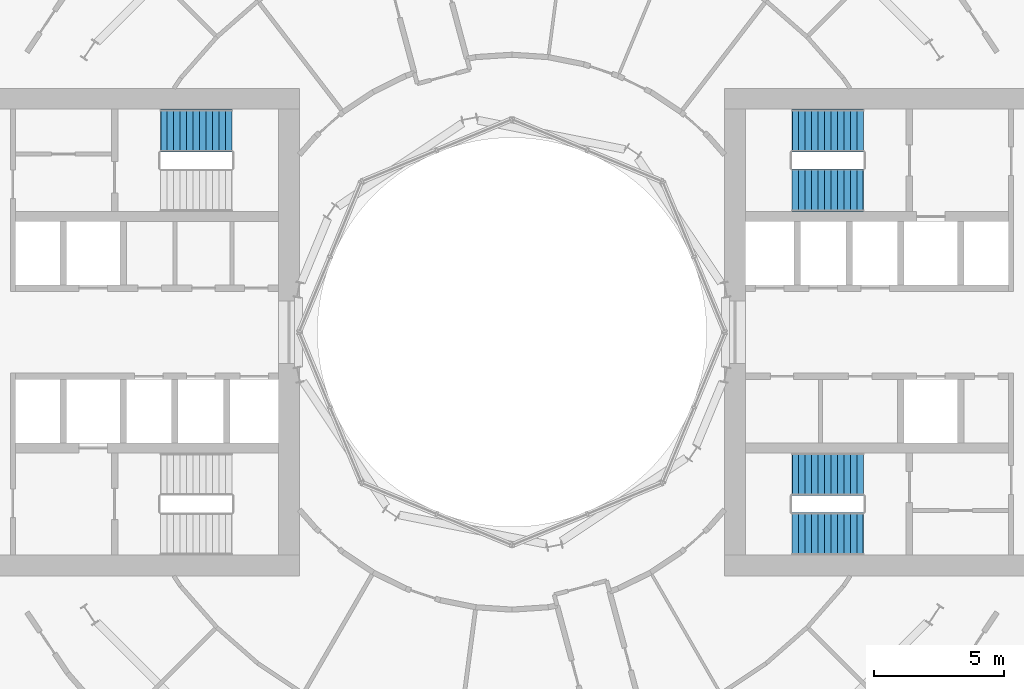
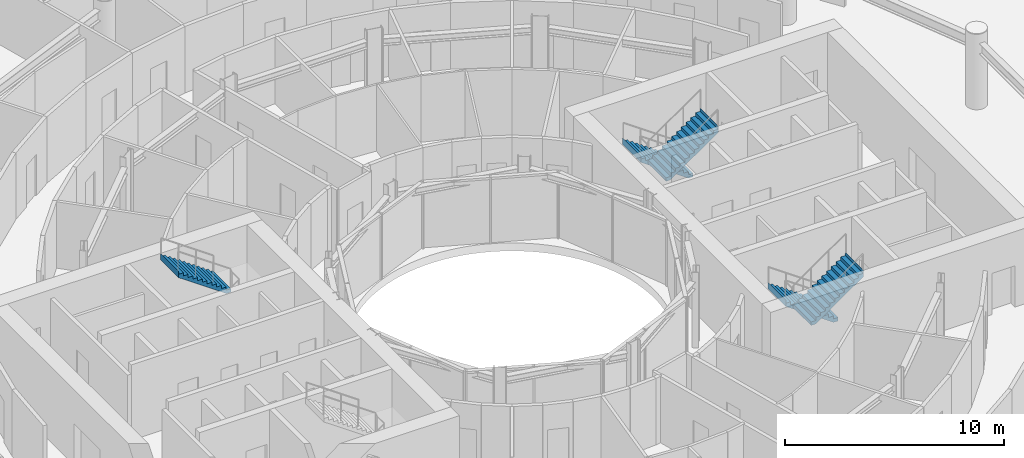
# One storey, part 27 of 29: 5 stair flights, 3 elements without a shape of their own.
"""IFC4 building model written with IfcOpenShell, lengths in metres."""

from ifc_helpers import new_model, si_unit, direction, frame, origin, place, context, subcontext, project, spatial, triangles, material, type_object, element, aggregate, save


model = new_model("IFC4")

# Units and contexts
model_context = context("Model", 3, precision=1e-05, world=origin(), true_north=direction((0.0, 1.0)))
body_context = subcontext(model_context, "Body", "Model", "MODEL_VIEW")
ifc_project = project(units=[si_unit("LENGTHUNIT", "METRE"), si_unit("AREAUNIT", "SQUARE_METRE"), si_unit("VOLUMEUNIT", "CUBIC_METRE"), si_unit("PLANEANGLEUNIT", "RADIAN"), si_unit("MASSUNIT", "GRAM", prefix="KILO")], contexts=[model_context])

# Site, building, storey
site_placement = place(None, origin())
site = spatial("IfcSite", under=ifc_project, at=site_placement, CompositionType="ELEMENT")
building_placement = place(site_placement, origin())
building = spatial("IfcBuilding", under=site, at=building_placement, Name="Maasbend Ring Residences", CompositionType="ELEMENT")
storey_placement = place(building_placement, frame((0.0, 0.0, 5.39990234375)))
storey = spatial("IfcBuildingStorey", under=building, at=storey_placement, Name="L01", CompositionType="ELEMENT", Elevation=5.39990234375)

# Stair, stair flights
ifc_material_1 = material(Name="Concrete C40/50", Category="concrete")
stair_type = type_object("IfcStairType", Name="CORE STAIR 24 RISERS", PredefinedType="HALF_TURN_STAIR", material=ifc_material_1)
stair_1_placement = place(storey_placement, origin())
stair_1 = element("IfcStair", 1, at=stair_1_placement, inside=storey, type_object=stair_type, Name="L01 Exit stair ST-E1", PredefinedType="HALF_TURN_STAIR")
ifc_material_2 = material(Name="Concrete C40/50", Category="concrete")
stair_flight_type = type_object("IfcStairFlightType", Name="CORE STAIR FLIGHT 1650", PredefinedType="STRAIGHT", material=ifc_material_2)
stair_flight_1_placement = place(storey_placement, frame((13.550048828125, 7.77490234375, 0.0), z_axis=(0.0, 0.0, 1.0), x_axis=(-1.0, 0.0, 0.0)))
stair_flight_1 = element("IfcStairFlight", 2, at=stair_flight_1_placement, type_object=stair_flight_type, Name="ST-E1 flight 1", NumberOfRisers=12, NumberOfTreads=11, PredefinedType="STRAIGHT", RiserHeight=0.175, TreadLength=0.25, context=body_context, shape_type="Tessellation", body=[
    triangles([(0.23583984375, 0.824951171875, -0.02001953125), (2.7529296875, 0.824951171875, 1.741943359375), (2.7529296875, 0.824951171875, 2.10009765625), (2.739990234375, 0.824951171875, 1.925048828125), (2.5, 0.824951171875, 1.925048828125), (2.5, 0.824951171875, 1.75), (2.25, 0.824951171875, 1.75), (2.25, 0.824951171875, 1.574951171875), (2.0, 0.824951171875, 1.574951171875), (2.0, 0.824951171875, 1.39990234375), (1.75, 0.824951171875, 1.39990234375), (1.75, 0.824951171875, 1.22509765625), (1.5, 0.824951171875, 1.22509765625), (1.5, 0.824951171875, 1.050048828125), (1.25, 0.824951171875, 1.050048828125), (1.25, 0.824951171875, 0.875), (1.0, 0.824951171875, 0.875), (1.0, 0.824951171875, 0.699951171875), (0.75, 0.824951171875, 0.699951171875), (0.75, 0.824951171875, 0.52490234375), (0.5, 0.824951171875, 0.52490234375), (0.5, 0.824951171875, 0.35009765625), (0.25, 0.824951171875, 0.35009765625), (0.25, 0.824951171875, 0.175048828125), (0.0, 0.824951171875, 0.175048828125), (0.0, 0.824951171875, 0.0), (-0.0029296875, 0.824951171875, 0.0), (-0.0029296875, 0.824951171875, -0.02001953125), (0.23583984375, -0.824951171875, -0.02001953125), (2.7529296875, -0.824951171875, 1.741943359375), (2.7529296875, -0.824951171875, 2.10009765625), (2.739990234375, -0.824951171875, 1.925048828125), (2.5, -0.824951171875, 1.925048828125), (2.5, -0.824951171875, 1.75), (2.25, -0.824951171875, 1.75), (2.25, -0.824951171875, 1.574951171875), (2.0, -0.824951171875, 1.574951171875), (2.0, -0.824951171875, 1.39990234375), (1.75, -0.824951171875, 1.39990234375), (1.75, -0.824951171875, 1.22509765625), (1.5, -0.824951171875, 1.22509765625), (1.5, -0.824951171875, 1.050048828125), (1.25, -0.824951171875, 1.050048828125), (1.25, -0.824951171875, 0.875), (1.0, -0.824951171875, 0.875), (1.0, -0.824951171875, 0.699951171875), (0.75, -0.824951171875, 0.699951171875), (0.75, -0.824951171875, 0.52490234375), (0.5, -0.824951171875, 0.52490234375), (0.5, -0.824951171875, 0.35009765625), (0.25, -0.824951171875, 0.35009765625), (0.25, -0.824951171875, 0.175048828125), (0.0, -0.824951171875, 0.175048828125), (0.0, -0.824951171875, 0.0), (-0.0029296875, -0.824951171875, 0.0), (-0.0029296875, -0.824951171875, -0.02001953125)], [[1, 2, 30], [1, 30, 29], [2, 3, 31], [2, 31, 30], [3, 4, 32], [3, 32, 31], [4, 5, 33], [4, 33, 32], [5, 6, 34], [5, 34, 33], [6, 7, 35], [6, 35, 34], [7, 8, 36], [7, 36, 35], [8, 9, 37], [8, 37, 36], [9, 10, 38], [9, 38, 37], [10, 11, 39], [10, 39, 38], [11, 12, 40], [11, 40, 39], [12, 13, 41], [12, 41, 40], [13, 14, 42], [13, 42, 41], [14, 15, 43], [14, 43, 42], [15, 16, 44], [15, 44, 43], [16, 17, 45], [16, 45, 44], [17, 18, 46], [17, 46, 45], [18, 19, 47], [18, 47, 46], [19, 20, 48], [19, 48, 47], [20, 21, 49], [20, 49, 48], [21, 22, 50], [21, 50, 49], [22, 23, 51], [22, 51, 50], [23, 24, 52], [23, 52, 51], [24, 25, 53], [24, 53, 52], [25, 26, 54], [25, 54, 53], [26, 27, 55], [26, 55, 54], [27, 28, 56], [27, 56, 55], [28, 1, 29], [28, 29, 56], [28, 2, 1], [2, 4, 3], [2, 5, 4], [2, 6, 5], [28, 6, 2], [6, 8, 7], [28, 8, 6], [8, 10, 9], [28, 10, 8], [10, 12, 11], [28, 12, 10], [12, 14, 13], [28, 14, 12], [14, 16, 15], [28, 16, 14], [16, 18, 17], [28, 18, 16], [18, 20, 19], [28, 20, 18], [20, 22, 21], [28, 22, 20], [22, 24, 23], [28, 24, 22], [24, 26, 25], [28, 26, 24], [26, 28, 27], [56, 29, 30], [30, 31, 32], [30, 32, 33], [30, 33, 34], [56, 30, 34], [34, 35, 36], [56, 34, 36], [36, 37, 38], [56, 36, 38], [38, 39, 40], [56, 38, 40], [40, 41, 42], [56, 40, 42], [42, 43, 44], [56, 42, 44], [44, 45, 46], [56, 44, 46], [46, 47, 48], [56, 46, 48], [48, 49, 50], [56, 48, 50], [50, 51, 52], [56, 50, 52], [52, 53, 54], [56, 52, 54], [54, 55, 56]], closed=True),
])
stair_flight_2_placement = place(storey_placement, frame((10.800048828125, 5.47509765625, 2.10009765625), z_axis=(0.0, 0.0, 1.0), x_axis=(1.0, 0.0, 0.0)))
stair_flight_2 = element("IfcStairFlight", 3, at=stair_flight_2_placement, type_object=stair_flight_type, Name="ST-E1 flight 2", NumberOfRisers=12, NumberOfTreads=11, PredefinedType="STRAIGHT", RiserHeight=0.175, TreadLength=0.25, context=body_context, shape_type="Tessellation", body=[
    triangles([(0.23583984375, 0.824951171875, -0.02001953125), (2.7529296875, 0.824951171875, 1.741943359375), (2.7529296875, 0.824951171875, 2.10009765625), (2.739990234375, 0.824951171875, 1.925048828125), (2.5, 0.824951171875, 1.925048828125), (2.5, 0.824951171875, 1.75), (2.25, 0.824951171875, 1.75), (2.25, 0.824951171875, 1.574951171875), (2.0, 0.824951171875, 1.574951171875), (2.0, 0.824951171875, 1.39990234375), (1.75, 0.824951171875, 1.39990234375), (1.75, 0.824951171875, 1.22509765625), (1.5, 0.824951171875, 1.22509765625), (1.5, 0.824951171875, 1.050048828125), (1.25, 0.824951171875, 1.050048828125), (1.25, 0.824951171875, 0.875), (1.0, 0.824951171875, 0.875), (1.0, 0.824951171875, 0.699951171875), (0.75, 0.824951171875, 0.699951171875), (0.75, 0.824951171875, 0.52490234375), (0.5, 0.824951171875, 0.52490234375), (0.5, 0.824951171875, 0.35009765625), (0.25, 0.824951171875, 0.35009765625), (0.25, 0.824951171875, 0.175048828125), (0.0, 0.824951171875, 0.175048828125), (0.0, 0.824951171875, 0.0), (-0.0029296875, 0.824951171875, 0.0), (-0.0029296875, 0.824951171875, -0.02001953125), (0.23583984375, -0.824951171875, -0.02001953125), (2.7529296875, -0.824951171875, 1.741943359375), (2.7529296875, -0.824951171875, 2.10009765625), (2.739990234375, -0.824951171875, 1.925048828125), (2.5, -0.824951171875, 1.925048828125), (2.5, -0.824951171875, 1.75), (2.25, -0.824951171875, 1.75), (2.25, -0.824951171875, 1.574951171875), (2.0, -0.824951171875, 1.574951171875), (2.0, -0.824951171875, 1.39990234375), (1.75, -0.824951171875, 1.39990234375), (1.75, -0.824951171875, 1.22509765625), (1.5, -0.824951171875, 1.22509765625), (1.5, -0.824951171875, 1.050048828125), (1.25, -0.824951171875, 1.050048828125), (1.25, -0.824951171875, 0.875), (1.0, -0.824951171875, 0.875), (1.0, -0.824951171875, 0.699951171875), (0.75, -0.824951171875, 0.699951171875), (0.75, -0.824951171875, 0.52490234375), (0.5, -0.824951171875, 0.52490234375), (0.5, -0.824951171875, 0.35009765625), (0.25, -0.824951171875, 0.35009765625), (0.25, -0.824951171875, 0.175048828125), (0.0, -0.824951171875, 0.175048828125), (0.0, -0.824951171875, 0.0), (-0.0029296875, -0.824951171875, 0.0), (-0.0029296875, -0.824951171875, -0.02001953125)], [[1, 2, 30], [1, 30, 29], [2, 3, 31], [2, 31, 30], [3, 4, 32], [3, 32, 31], [4, 5, 33], [4, 33, 32], [5, 6, 34], [5, 34, 33], [6, 7, 35], [6, 35, 34], [7, 8, 36], [7, 36, 35], [8, 9, 37], [8, 37, 36], [9, 10, 38], [9, 38, 37], [10, 11, 39], [10, 39, 38], [11, 12, 40], [11, 40, 39], [12, 13, 41], [12, 41, 40], [13, 14, 42], [13, 42, 41], [14, 15, 43], [14, 43, 42], [15, 16, 44], [15, 44, 43], [16, 17, 45], [16, 45, 44], [17, 18, 46], [17, 46, 45], [18, 19, 47], [18, 47, 46], [19, 20, 48], [19, 48, 47], [20, 21, 49], [20, 49, 48], [21, 22, 50], [21, 50, 49], [22, 23, 51], [22, 51, 50], [23, 24, 52], [23, 52, 51], [24, 25, 53], [24, 53, 52], [25, 26, 54], [25, 54, 53], [26, 27, 55], [26, 55, 54], [27, 28, 56], [27, 56, 55], [28, 1, 29], [28, 29, 56], [28, 2, 1], [2, 4, 3], [2, 5, 4], [2, 6, 5], [28, 6, 2], [6, 8, 7], [28, 8, 6], [8, 10, 9], [28, 10, 8], [10, 12, 11], [28, 12, 10], [12, 14, 13], [28, 14, 12], [14, 16, 15], [28, 16, 14], [16, 18, 17], [28, 18, 16], [18, 20, 19], [28, 20, 18], [20, 22, 21], [28, 22, 20], [22, 24, 23], [28, 24, 22], [24, 26, 25], [28, 26, 24], [26, 28, 27], [56, 29, 30], [30, 31, 32], [30, 32, 33], [30, 33, 34], [56, 30, 34], [34, 35, 36], [56, 34, 36], [36, 37, 38], [56, 36, 38], [38, 39, 40], [56, 38, 40], [40, 41, 42], [56, 40, 42], [42, 43, 44], [56, 42, 44], [44, 45, 46], [56, 44, 46], [46, 47, 48], [56, 46, 48], [48, 49, 50], [56, 48, 50], [50, 51, 52], [56, 50, 52], [52, 53, 54], [56, 52, 54], [54, 55, 56]], closed=True),
])
aggregate(stair_1, [stair_flight_1, stair_flight_2])

stair_2_placement = place(storey_placement, origin())
stair_2 = element("IfcStair", 4, at=stair_2_placement, inside=storey, type_object=stair_type, Name="L01 Exit stair ST-E2", PredefinedType="HALF_TURN_STAIR")
stair_flight_3_placement = place(storey_placement, frame((13.550048828125, -5.47509765625, 0.0), z_axis=(0.0, 0.0, 1.0), x_axis=(-1.0, 0.0, 0.0)))
stair_flight_3 = element("IfcStairFlight", 5, at=stair_flight_3_placement, type_object=stair_flight_type, Name="ST-E2 flight 1", NumberOfRisers=12, NumberOfTreads=11, PredefinedType="STRAIGHT", RiserHeight=0.175, TreadLength=0.25, context=body_context, shape_type="Tessellation", body=[
    triangles([(0.23583984375, 0.824951171875, -0.02001953125), (2.7529296875, 0.824951171875, 1.741943359375), (2.7529296875, 0.824951171875, 2.10009765625), (2.739990234375, 0.824951171875, 1.925048828125), (2.5, 0.824951171875, 1.925048828125), (2.5, 0.824951171875, 1.75), (2.25, 0.824951171875, 1.75), (2.25, 0.824951171875, 1.574951171875), (2.0, 0.824951171875, 1.574951171875), (2.0, 0.824951171875, 1.39990234375), (1.75, 0.824951171875, 1.39990234375), (1.75, 0.824951171875, 1.22509765625), (1.5, 0.824951171875, 1.22509765625), (1.5, 0.824951171875, 1.050048828125), (1.25, 0.824951171875, 1.050048828125), (1.25, 0.824951171875, 0.875), (1.0, 0.824951171875, 0.875), (1.0, 0.824951171875, 0.699951171875), (0.75, 0.824951171875, 0.699951171875), (0.75, 0.824951171875, 0.52490234375), (0.5, 0.824951171875, 0.52490234375), (0.5, 0.824951171875, 0.35009765625), (0.25, 0.824951171875, 0.35009765625), (0.25, 0.824951171875, 0.175048828125), (0.0, 0.824951171875, 0.175048828125), (0.0, 0.824951171875, 0.0), (-0.0029296875, 0.824951171875, 0.0), (-0.0029296875, 0.824951171875, -0.02001953125), (0.23583984375, -0.824951171875, -0.02001953125), (2.7529296875, -0.824951171875, 1.741943359375), (2.7529296875, -0.824951171875, 2.10009765625), (2.739990234375, -0.824951171875, 1.925048828125), (2.5, -0.824951171875, 1.925048828125), (2.5, -0.824951171875, 1.75), (2.25, -0.824951171875, 1.75), (2.25, -0.824951171875, 1.574951171875), (2.0, -0.824951171875, 1.574951171875), (2.0, -0.824951171875, 1.39990234375), (1.75, -0.824951171875, 1.39990234375), (1.75, -0.824951171875, 1.22509765625), (1.5, -0.824951171875, 1.22509765625), (1.5, -0.824951171875, 1.050048828125), (1.25, -0.824951171875, 1.050048828125), (1.25, -0.824951171875, 0.875), (1.0, -0.824951171875, 0.875), (1.0, -0.824951171875, 0.699951171875), (0.75, -0.824951171875, 0.699951171875), (0.75, -0.824951171875, 0.52490234375), (0.5, -0.824951171875, 0.52490234375), (0.5, -0.824951171875, 0.35009765625), (0.25, -0.824951171875, 0.35009765625), (0.25, -0.824951171875, 0.175048828125), (0.0, -0.824951171875, 0.175048828125), (0.0, -0.824951171875, 0.0), (-0.0029296875, -0.824951171875, 0.0), (-0.0029296875, -0.824951171875, -0.02001953125)], [[1, 2, 30], [1, 30, 29], [2, 3, 31], [2, 31, 30], [3, 4, 32], [3, 32, 31], [4, 5, 33], [4, 33, 32], [5, 6, 34], [5, 34, 33], [6, 7, 35], [6, 35, 34], [7, 8, 36], [7, 36, 35], [8, 9, 37], [8, 37, 36], [9, 10, 38], [9, 38, 37], [10, 11, 39], [10, 39, 38], [11, 12, 40], [11, 40, 39], [12, 13, 41], [12, 41, 40], [13, 14, 42], [13, 42, 41], [14, 15, 43], [14, 43, 42], [15, 16, 44], [15, 44, 43], [16, 17, 45], [16, 45, 44], [17, 18, 46], [17, 46, 45], [18, 19, 47], [18, 47, 46], [19, 20, 48], [19, 48, 47], [20, 21, 49], [20, 49, 48], [21, 22, 50], [21, 50, 49], [22, 23, 51], [22, 51, 50], [23, 24, 52], [23, 52, 51], [24, 25, 53], [24, 53, 52], [25, 26, 54], [25, 54, 53], [26, 27, 55], [26, 55, 54], [27, 28, 56], [27, 56, 55], [28, 1, 29], [28, 29, 56], [28, 2, 1], [2, 4, 3], [2, 5, 4], [2, 6, 5], [28, 6, 2], [6, 8, 7], [28, 8, 6], [8, 10, 9], [28, 10, 8], [10, 12, 11], [28, 12, 10], [12, 14, 13], [28, 14, 12], [14, 16, 15], [28, 16, 14], [16, 18, 17], [28, 18, 16], [18, 20, 19], [28, 20, 18], [20, 22, 21], [28, 22, 20], [22, 24, 23], [28, 24, 22], [24, 26, 25], [28, 26, 24], [26, 28, 27], [56, 29, 30], [30, 31, 32], [30, 32, 33], [30, 33, 34], [56, 30, 34], [34, 35, 36], [56, 34, 36], [36, 37, 38], [56, 36, 38], [38, 39, 40], [56, 38, 40], [40, 41, 42], [56, 40, 42], [42, 43, 44], [56, 42, 44], [44, 45, 46], [56, 44, 46], [46, 47, 48], [56, 46, 48], [48, 49, 50], [56, 48, 50], [50, 51, 52], [56, 50, 52], [52, 53, 54], [56, 52, 54], [54, 55, 56]], closed=True),
])
stair_flight_4_placement = place(storey_placement, frame((10.800048828125, -7.77490234375, 2.10009765625), z_axis=(0.0, 0.0, 1.0), x_axis=(1.0, 0.0, 0.0)))
stair_flight_4 = element("IfcStairFlight", 6, at=stair_flight_4_placement, type_object=stair_flight_type, Name="ST-E2 flight 2", NumberOfRisers=12, NumberOfTreads=11, PredefinedType="STRAIGHT", RiserHeight=0.175, TreadLength=0.25, context=body_context, shape_type="Tessellation", body=[
    triangles([(0.23583984375, 0.824951171875, -0.02001953125), (2.7529296875, 0.824951171875, 1.741943359375), (2.7529296875, 0.824951171875, 2.10009765625), (2.739990234375, 0.824951171875, 1.925048828125), (2.5, 0.824951171875, 1.925048828125), (2.5, 0.824951171875, 1.75), (2.25, 0.824951171875, 1.75), (2.25, 0.824951171875, 1.574951171875), (2.0, 0.824951171875, 1.574951171875), (2.0, 0.824951171875, 1.39990234375), (1.75, 0.824951171875, 1.39990234375), (1.75, 0.824951171875, 1.22509765625), (1.5, 0.824951171875, 1.22509765625), (1.5, 0.824951171875, 1.050048828125), (1.25, 0.824951171875, 1.050048828125), (1.25, 0.824951171875, 0.875), (1.0, 0.824951171875, 0.875), (1.0, 0.824951171875, 0.699951171875), (0.75, 0.824951171875, 0.699951171875), (0.75, 0.824951171875, 0.52490234375), (0.5, 0.824951171875, 0.52490234375), (0.5, 0.824951171875, 0.35009765625), (0.25, 0.824951171875, 0.35009765625), (0.25, 0.824951171875, 0.175048828125), (0.0, 0.824951171875, 0.175048828125), (0.0, 0.824951171875, 0.0), (-0.0029296875, 0.824951171875, 0.0), (-0.0029296875, 0.824951171875, -0.02001953125), (0.23583984375, -0.824951171875, -0.02001953125), (2.7529296875, -0.824951171875, 1.741943359375), (2.7529296875, -0.824951171875, 2.10009765625), (2.739990234375, -0.824951171875, 1.925048828125), (2.5, -0.824951171875, 1.925048828125), (2.5, -0.824951171875, 1.75), (2.25, -0.824951171875, 1.75), (2.25, -0.824951171875, 1.574951171875), (2.0, -0.824951171875, 1.574951171875), (2.0, -0.824951171875, 1.39990234375), (1.75, -0.824951171875, 1.39990234375), (1.75, -0.824951171875, 1.22509765625), (1.5, -0.824951171875, 1.22509765625), (1.5, -0.824951171875, 1.050048828125), (1.25, -0.824951171875, 1.050048828125), (1.25, -0.824951171875, 0.875), (1.0, -0.824951171875, 0.875), (1.0, -0.824951171875, 0.699951171875), (0.75, -0.824951171875, 0.699951171875), (0.75, -0.824951171875, 0.52490234375), (0.5, -0.824951171875, 0.52490234375), (0.5, -0.824951171875, 0.35009765625), (0.25, -0.824951171875, 0.35009765625), (0.25, -0.824951171875, 0.175048828125), (0.0, -0.824951171875, 0.175048828125), (0.0, -0.824951171875, 0.0), (-0.0029296875, -0.824951171875, 0.0), (-0.0029296875, -0.824951171875, -0.02001953125)], [[1, 2, 30], [1, 30, 29], [2, 3, 31], [2, 31, 30], [3, 4, 32], [3, 32, 31], [4, 5, 33], [4, 33, 32], [5, 6, 34], [5, 34, 33], [6, 7, 35], [6, 35, 34], [7, 8, 36], [7, 36, 35], [8, 9, 37], [8, 37, 36], [9, 10, 38], [9, 38, 37], [10, 11, 39], [10, 39, 38], [11, 12, 40], [11, 40, 39], [12, 13, 41], [12, 41, 40], [13, 14, 42], [13, 42, 41], [14, 15, 43], [14, 43, 42], [15, 16, 44], [15, 44, 43], [16, 17, 45], [16, 45, 44], [17, 18, 46], [17, 46, 45], [18, 19, 47], [18, 47, 46], [19, 20, 48], [19, 48, 47], [20, 21, 49], [20, 49, 48], [21, 22, 50], [21, 50, 49], [22, 23, 51], [22, 51, 50], [23, 24, 52], [23, 52, 51], [24, 25, 53], [24, 53, 52], [25, 26, 54], [25, 54, 53], [26, 27, 55], [26, 55, 54], [27, 28, 56], [27, 56, 55], [28, 1, 29], [28, 29, 56], [28, 2, 1], [2, 4, 3], [2, 5, 4], [2, 6, 5], [28, 6, 2], [6, 8, 7], [28, 8, 6], [8, 10, 9], [28, 10, 8], [10, 12, 11], [28, 12, 10], [12, 14, 13], [28, 14, 12], [14, 16, 15], [28, 16, 14], [16, 18, 17], [28, 18, 16], [18, 20, 19], [28, 20, 18], [20, 22, 21], [28, 22, 20], [22, 24, 23], [28, 24, 22], [24, 26, 25], [28, 26, 24], [26, 28, 27], [56, 29, 30], [30, 31, 32], [30, 32, 33], [30, 33, 34], [56, 30, 34], [34, 35, 36], [56, 34, 36], [36, 37, 38], [56, 36, 38], [38, 39, 40], [56, 38, 40], [40, 41, 42], [56, 40, 42], [42, 43, 44], [56, 42, 44], [44, 45, 46], [56, 44, 46], [46, 47, 48], [56, 46, 48], [48, 49, 50], [56, 48, 50], [50, 51, 52], [56, 50, 52], [52, 53, 54], [56, 52, 54], [54, 55, 56]], closed=True),
])
aggregate(stair_2, [stair_flight_3, stair_flight_4])

# Stair, stair flight
stair_3_placement = place(storey_placement, origin())
stair_3 = element("IfcStair", 7, at=stair_3_placement, inside=storey, type_object=stair_type, Name="L01 Exit stair ST-W2", PredefinedType="HALF_TURN_STAIR")
stair_flight_5_placement = place(storey_placement, frame((-10.800048828125, 7.77490234375, 2.10009765625), z_axis=(0.0, 0.0, 1.0), x_axis=(-1.0, 0.0, 0.0)))
stair_flight_5 = element("IfcStairFlight", 8, at=stair_flight_5_placement, type_object=stair_flight_type, Name="ST-W2 flight 2", NumberOfRisers=12, NumberOfTreads=11, PredefinedType="STRAIGHT", RiserHeight=0.175, TreadLength=0.25, context=body_context, shape_type="Tessellation", body=[
    triangles([(0.23583984375, 0.824951171875, -0.02001953125), (2.7529296875, 0.824951171875, 1.741943359375), (2.7529296875, 0.824951171875, 2.10009765625), (2.739990234375, 0.824951171875, 1.925048828125), (2.5, 0.824951171875, 1.925048828125), (2.5, 0.824951171875, 1.75), (2.25, 0.824951171875, 1.75), (2.25, 0.824951171875, 1.574951171875), (2.0, 0.824951171875, 1.574951171875), (2.0, 0.824951171875, 1.39990234375), (1.75, 0.824951171875, 1.39990234375), (1.75, 0.824951171875, 1.22509765625), (1.5, 0.824951171875, 1.22509765625), (1.5, 0.824951171875, 1.050048828125), (1.25, 0.824951171875, 1.050048828125), (1.25, 0.824951171875, 0.875), (1.0, 0.824951171875, 0.875), (1.0, 0.824951171875, 0.699951171875), (0.75, 0.824951171875, 0.699951171875), (0.75, 0.824951171875, 0.52490234375), (0.5, 0.824951171875, 0.52490234375), (0.5, 0.824951171875, 0.35009765625), (0.25, 0.824951171875, 0.35009765625), (0.25, 0.824951171875, 0.175048828125), (0.0, 0.824951171875, 0.175048828125), (0.0, 0.824951171875, 0.0), (-0.0029296875, 0.824951171875, 0.0), (-0.0029296875, 0.824951171875, -0.02001953125), (0.23583984375, -0.824951171875, -0.02001953125), (2.7529296875, -0.824951171875, 1.741943359375), (2.7529296875, -0.824951171875, 2.10009765625), (2.739990234375, -0.824951171875, 1.925048828125), (2.5, -0.824951171875, 1.925048828125), (2.5, -0.824951171875, 1.75), (2.25, -0.824951171875, 1.75), (2.25, -0.824951171875, 1.574951171875), (2.0, -0.824951171875, 1.574951171875), (2.0, -0.824951171875, 1.39990234375), (1.75, -0.824951171875, 1.39990234375), (1.75, -0.824951171875, 1.22509765625), (1.5, -0.824951171875, 1.22509765625), (1.5, -0.824951171875, 1.050048828125), (1.25, -0.824951171875, 1.050048828125), (1.25, -0.824951171875, 0.875), (1.0, -0.824951171875, 0.875), (1.0, -0.824951171875, 0.699951171875), (0.75, -0.824951171875, 0.699951171875), (0.75, -0.824951171875, 0.52490234375), (0.5, -0.824951171875, 0.52490234375), (0.5, -0.824951171875, 0.35009765625), (0.25, -0.824951171875, 0.35009765625), (0.25, -0.824951171875, 0.175048828125), (0.0, -0.824951171875, 0.175048828125), (0.0, -0.824951171875, 0.0), (-0.0029296875, -0.824951171875, 0.0), (-0.0029296875, -0.824951171875, -0.02001953125)], [[1, 2, 30], [1, 30, 29], [2, 3, 31], [2, 31, 30], [3, 4, 32], [3, 32, 31], [4, 5, 33], [4, 33, 32], [5, 6, 34], [5, 34, 33], [6, 7, 35], [6, 35, 34], [7, 8, 36], [7, 36, 35], [8, 9, 37], [8, 37, 36], [9, 10, 38], [9, 38, 37], [10, 11, 39], [10, 39, 38], [11, 12, 40], [11, 40, 39], [12, 13, 41], [12, 41, 40], [13, 14, 42], [13, 42, 41], [14, 15, 43], [14, 43, 42], [15, 16, 44], [15, 44, 43], [16, 17, 45], [16, 45, 44], [17, 18, 46], [17, 46, 45], [18, 19, 47], [18, 47, 46], [19, 20, 48], [19, 48, 47], [20, 21, 49], [20, 49, 48], [21, 22, 50], [21, 50, 49], [22, 23, 51], [22, 51, 50], [23, 24, 52], [23, 52, 51], [24, 25, 53], [24, 53, 52], [25, 26, 54], [25, 54, 53], [26, 27, 55], [26, 55, 54], [27, 28, 56], [27, 56, 55], [28, 1, 29], [28, 29, 56], [28, 2, 1], [2, 4, 3], [2, 5, 4], [2, 6, 5], [28, 6, 2], [6, 8, 7], [28, 8, 6], [8, 10, 9], [28, 10, 8], [10, 12, 11], [28, 12, 10], [12, 14, 13], [28, 14, 12], [14, 16, 15], [28, 16, 14], [16, 18, 17], [28, 18, 16], [18, 20, 19], [28, 20, 18], [20, 22, 21], [28, 22, 20], [22, 24, 23], [28, 24, 22], [24, 26, 25], [28, 26, 24], [26, 28, 27], [56, 29, 30], [30, 31, 32], [30, 32, 33], [30, 33, 34], [56, 30, 34], [34, 35, 36], [56, 34, 36], [36, 37, 38], [56, 36, 38], [38, 39, 40], [56, 38, 40], [40, 41, 42], [56, 40, 42], [42, 43, 44], [56, 42, 44], [44, 45, 46], [56, 44, 46], [46, 47, 48], [56, 46, 48], [48, 49, 50], [56, 48, 50], [50, 51, 52], [56, 50, 52], [52, 53, 54], [56, 52, 54], [54, 55, 56]], closed=True),
])
aggregate(stair_3, [stair_flight_5])

save(model, "model.ifc")
